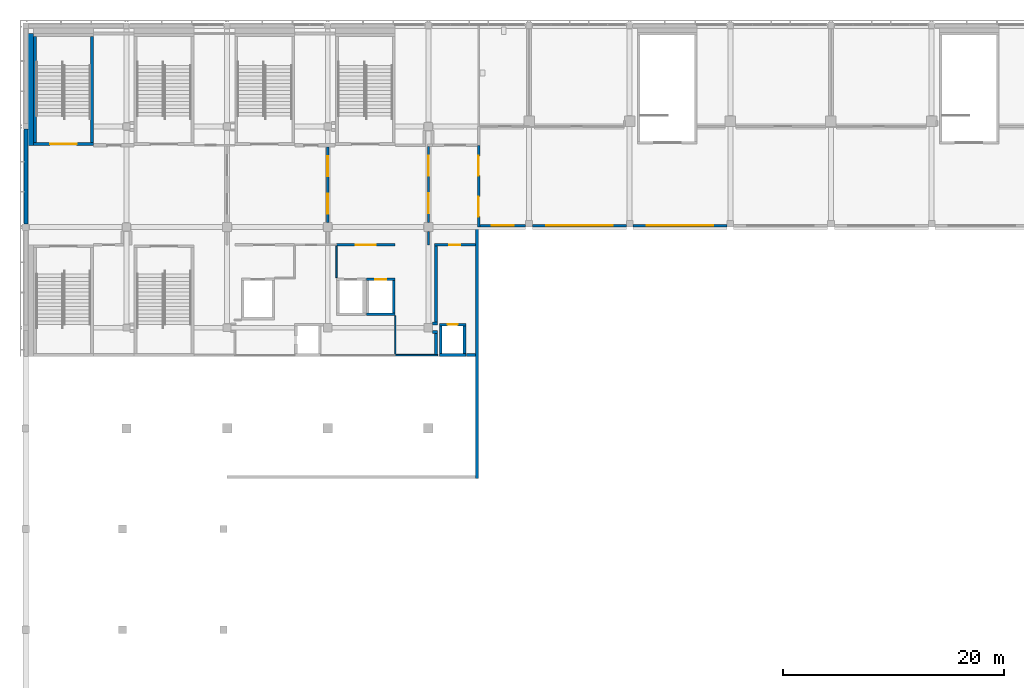
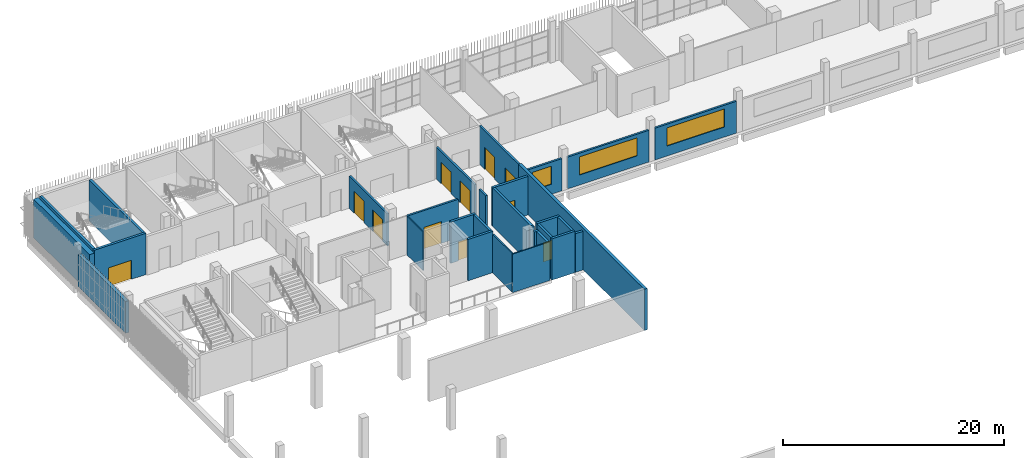
# One storey, part 61 of 104: 30 walls, 11 doors, 3 windows, 14 openings.
"""IFC4 building model written with IfcOpenShell, lengths in metres."""

from ifc_helpers import new_model, si_unit, direction, frame, frame_2d, origin, place, context, subcontext, project, spatial, rectangle, extrude, material, layer, layer_set, type_object, element, fill, save


model = new_model("IFC4")

# Units and contexts
model_context = context("Model", 3, precision=1e-05, world=origin(), true_north=direction((0.0, 1.0)))
body_context = subcontext(model_context, "Body", "Model", "MODEL_VIEW")
ifc_project = project(units=[si_unit("LENGTHUNIT", "METRE"), si_unit("AREAUNIT", "SQUARE_METRE"), si_unit("VOLUMEUNIT", "CUBIC_METRE"), si_unit("PLANEANGLEUNIT", "RADIAN"), si_unit("MASSUNIT", "GRAM", prefix="KILO")], contexts=[model_context])

# Site, building, storey
site_placement = place(None, origin())
site = spatial("IfcSite", under=ifc_project, at=site_placement, CompositionType="ELEMENT")
building_placement = place(site_placement, origin())
building = spatial("IfcBuilding", under=site, at=building_placement, Name="Shirokan Park Arena", CompositionType="ELEMENT")
storey_placement = place(building_placement, frame((0.0, 0.0, 10.919921875)))
storey = spatial("IfcBuildingStorey", under=building, at=storey_placement, Name="L02", CompositionType="ELEMENT", Elevation=10.919921875)

# Wall, opening, window
ifc_material_1 = material(Name="Cedar timber lining", Category="wood")
ifc_layer_1 = layer(ifc_material_1, 0.02001953125, Name="Cedar timber lining")
ifc_material_2 = material(Name="Plywood", Category="wood")
ifc_layer_2 = layer(ifc_material_2, 0.01806640625, Name="Plywood")
ifc_material_3 = material(Name="Mineral wool insulation")
ifc_layer_3 = layer(ifc_material_3, 0.14208984375, Name="Mineral wool insulation")
ifc_material_4 = material(Name="Gypsum board")
ifc_layer_4 = layer(ifc_material_4, 0.02001953125, Name="Gypsum board")
ifc_layer_set_1 = layer_set([ifc_layer_1, ifc_layer_2, ifc_layer_3, ifc_layer_4], Name="Cedar timber lining + Plywood + Mineral wool insulation + Gypsum board")
wall_type_1 = type_object("IfcWallType", Name="Bowl front wall 200", PredefinedType="PARTITIONING", material=ifc_layer_set_1)
wall_1_placement = place(storey_placement, frame((63.39990234375, 91.1298828125, 0.0), z_axis=(0.0, 0.0, 1.0), x_axis=(-1.0, 0.0, 0.0)))
wall_1 = element("IfcWall", 1, at=wall_1_placement, inside=storey, type_object=wall_type_1, Name="Bowl front wall 200 L02", PredefinedType="PARTITIONING", context=body_context, shape_type="SweptSolid", body=[
    extrude(rectangle(XDim=8.5, YDim=0.199951171875, at=frame_2d((4.25, 0.0))), origin(), (0.0, 0.0, 1.0), 3.5),
])
opening_1_placement = place(wall_1_placement, frame((1.25, 0.0, 1.10009765625)))
opening_1 = element("IfcOpeningElement", 2, at=opening_1_placement, cuts=wall_1, Name="Opening W6", PredefinedType="OPENING", context=body_context, shape_type="SweptSolid", body=[
    extrude(rectangle(XDim=6.0, YDim=2.0, at=frame_2d((3.0, 1.0))), frame((0.0, 0.10986328125, 0.0), z_axis=(0.0, -1.0, 0.0), x_axis=(1.0, 0.0, 0.0)), (0.0, 0.0, 1.0), 0.219970703125),
])
ifc_material_5 = material(Name="Aluminium frame with laminated glass", Category="aluminium")
window_type_1 = type_object("IfcWindowType", Name="Lounge viewing window 6000 x 2000", PartitioningType="SINGLE_PANEL", PredefinedType="WINDOW", material=ifc_material_5)
window_1_placement = place(opening_1_placement, origin())
window_1 = element("IfcWindow", 3, at=window_1_placement, inside=storey, type_object=window_type_1, Name="Lounge viewing window 6000 x 2000 L02", OverallHeight=2.0, OverallWidth=6.0, PartitioningType="SINGLE_PANEL", PredefinedType="WINDOW", context=body_context, shape_type="SweptSolid", body=[
    extrude(rectangle(XDim=6.0, YDim=2.0, at=frame_2d((3.0, 1.0))), frame((0.0, 0.030029296875, 0.0), z_axis=(0.0, -1.0, 0.0), x_axis=(1.0, 0.0, 0.0)), (0.0, 0.0, 1.0), 0.06005859375),
])
fill(opening_1, window_1)

wall_2_placement = place(storey_placement, frame((54.300048828125, 91.1298828125, 0.0), z_axis=(0.0, 0.0, 1.0), x_axis=(-1.0, 0.0, 0.0)))
wall_2 = element("IfcWall", 4, at=wall_2_placement, inside=storey, type_object=wall_type_1, Name="Bowl front wall 200 L02", PredefinedType="PARTITIONING", context=body_context, shape_type="SweptSolid", body=[
    extrude(rectangle(XDim=8.5, YDim=0.199951171875, at=frame_2d((4.25, 0.0))), origin(), (0.0, 0.0, 1.0), 3.5),
])
opening_2_placement = place(wall_2_placement, frame((1.25, 0.0, 1.10009765625)))
opening_2 = element("IfcOpeningElement", 5, at=opening_2_placement, cuts=wall_2, Name="Opening W6", PredefinedType="OPENING", context=body_context, shape_type="SweptSolid", body=[
    extrude(rectangle(XDim=6.0, YDim=2.0, at=frame_2d((3.0, 1.0))), frame((0.0, 0.10986328125, 0.0), z_axis=(0.0, -1.0, 0.0), x_axis=(1.0, 0.0, 0.0)), (0.0, 0.0, 1.0), 0.219970703125),
])
window_2_placement = place(opening_2_placement, origin())
window_2 = element("IfcWindow", 6, at=window_2_placement, inside=storey, type_object=window_type_1, Name="Lounge viewing window 6000 x 2000 L02", OverallHeight=2.0, OverallWidth=6.0, PartitioningType="SINGLE_PANEL", PredefinedType="WINDOW", context=body_context, shape_type="SweptSolid", body=[
    extrude(rectangle(XDim=6.0, YDim=2.0, at=frame_2d((3.0, 1.0))), frame((0.0, 0.030029296875, 0.0), z_axis=(0.0, -1.0, 0.0), x_axis=(1.0, 0.0, 0.0)), (0.0, 0.0, 1.0), 0.06005859375),
])
fill(opening_2, window_2)

wall_3_placement = place(storey_placement, frame((45.199951171875, 91.1298828125, 0.0), z_axis=(0.0, 0.0, 1.0), x_axis=(-1.0, 0.0, 0.0)))
wall_3 = element("IfcWall", 7, at=wall_3_placement, inside=storey, type_object=wall_type_1, Name="Bowl front wall 200 L02", PredefinedType="PARTITIONING", context=body_context, shape_type="SweptSolid", body=[
    extrude(rectangle(XDim=4.14990234375, YDim=0.199951171875, at=frame_2d((2.074951171875, 0.0))), origin(), (0.0, 0.0, 1.0), 3.550048828125),
])
opening_3_placement = place(wall_3_placement, frame((1.074951171875, 0.0, 1.10009765625)))
opening_3 = element("IfcOpeningElement", 8, at=opening_3_placement, cuts=wall_3, Name="Opening W5", PredefinedType="OPENING", context=body_context, shape_type="SweptSolid", body=[
    extrude(rectangle(XDim=2.0, YDim=2.0, at=frame_2d((1.0, 1.0))), frame((0.0, 0.10986328125, 0.0), z_axis=(0.0, -1.0, 0.0), x_axis=(1.0, 0.0, 0.0)), (0.0, 0.0, 1.0), 0.219970703125),
])
window_type_2 = type_object("IfcWindowType", Name="Lounge viewing window 2000 x 2000", PartitioningType="SINGLE_PANEL", PredefinedType="WINDOW", material=ifc_material_5)
window_3_placement = place(opening_3_placement, origin())
window_3 = element("IfcWindow", 9, at=window_3_placement, inside=storey, type_object=window_type_2, Name="Lounge viewing window 2000 x 2000 L02", OverallHeight=2.0, OverallWidth=2.0, PartitioningType="SINGLE_PANEL", PredefinedType="WINDOW", context=body_context, shape_type="SweptSolid", body=[
    extrude(rectangle(XDim=2.0, YDim=2.0, at=frame_2d((1.0, 1.0))), frame((0.0, 0.030029296875, 0.0), z_axis=(0.0, -1.0, 0.0), x_axis=(1.0, 0.0, 0.0)), (0.0, 0.0, 1.0), 0.06005859375),
])
fill(opening_3, window_3)

# Walls
ifc_material_6 = material(Name="Plaster")
ifc_layer_5 = layer(ifc_material_6, 0.014892578125, Name="Plaster")
ifc_material_7 = material(Name="Concrete blockwork", Category="masonry")
ifc_layer_6 = layer(ifc_material_7, 0.219970703125, Name="Concrete blockwork 220")
ifc_layer_7 = layer(ifc_material_6, 0.014892578125, Name="Plaster")
ifc_layer_set_2 = layer_set([ifc_layer_5, ifc_layer_6, ifc_layer_7], Name="Plaster + Concrete blockwork 220")
wall_type_2 = type_object("IfcWallType", Name="Compartment wall 250", PredefinedType="SOLIDWALL", material=ifc_layer_set_2)
wall_4_placement = place(storey_placement, frame((36.77490234375, 81.52490234375, 0.0), z_axis=(0.0, 0.0, 1.0), x_axis=(1.0, 0.0, 0.0)))
element("IfcWall", 10, at=wall_4_placement, inside=storey, type_object=wall_type_2, Name="Compartment wall 250 L02", PredefinedType="SOLIDWALL", context=body_context, shape_type="SweptSolid", body=[
    extrude(rectangle(XDim=0.4501953125, YDim=0.25, at=frame_2d((0.22509765625, 0.0))), origin(), (0.0, 0.0, 1.0), 4.25),
])
wall_5_placement = place(storey_placement, frame((37.10009765625, 81.39990234375, 0.0), z_axis=(0.0, 0.0, 1.0), x_axis=(0.0, -1.0, 0.0)))
element("IfcWall", 11, at=wall_5_placement, inside=storey, type_object=wall_type_2, Name="Compartment wall 250 L02", PredefinedType="SOLIDWALL", context=body_context, shape_type="SweptSolid", body=[
    extrude(rectangle(XDim=1.912353515625, YDim=0.25, at=frame_2d((0.9560546875, 0.0))), origin(), (0.0, 0.0, 1.0), 4.25),
])
wall_6_placement = place(storey_placement, frame((37.10009765625, 89.27490234375, 0.0), z_axis=(0.0, 0.0, 1.0), x_axis=(0.0, -1.0, 0.0)))
element("IfcWall", 12, at=wall_6_placement, inside=storey, type_object=wall_type_2, Name="Compartment wall 250 L02", PredefinedType="SOLIDWALL", context=body_context, shape_type="SweptSolid", body=[
    extrude(rectangle(XDim=6.875, YDim=0.25, at=frame_2d((3.4375, 0.0))), origin(), (0.0, 0.0, 1.0), 4.25),
])
wall_7_placement = place(storey_placement, frame((37.22509765625, 82.27490234375, 0.0), z_axis=(0.0, 0.0, 1.0), x_axis=(-1.0, 0.0, 0.0)))
element("IfcWall", 13, at=wall_7_placement, inside=storey, type_object=wall_type_2, Name="Compartment wall 250 L02", PredefinedType="SOLIDWALL", context=body_context, shape_type="SweptSolid", body=[
    extrude(rectangle(XDim=0.4501953125, YDim=0.25, at=frame_2d((0.22509765625, 0.0))), origin(), (0.0, 0.0, 1.0), 4.25),
])
wall_8_placement = place(storey_placement, frame((40.64990234375, 79.425048828125, 0.0), z_axis=(0.0, 0.0, 1.0), x_axis=(-1.0, 0.0, 0.0)))
element("IfcWall", 14, at=wall_8_placement, inside=storey, type_object=wall_type_2, Name="Compartment wall 250 L02", PredefinedType="SOLIDWALL", context=body_context, shape_type="SweptSolid", body=[
    extrude(rectangle(XDim=0.81982421875, YDim=0.25, at=frame_2d((0.409912109375, 0.0))), origin(), (0.0, 0.0, 1.0), 4.25),
])

# Wall, opening, door
wall_9_placement = place(storey_placement, frame((40.64990234375, 89.39990234375, 0.0), z_axis=(0.0, 0.0, 1.0), x_axis=(-1.0, 0.0, 0.0)))
wall_9 = element("IfcWall", 15, at=wall_9_placement, inside=storey, type_object=wall_type_2, Name="Compartment wall 250 L02", PredefinedType="SOLIDWALL", context=body_context, shape_type="SweptSolid", body=[
    extrude(rectangle(XDim=3.6748046875, YDim=0.25, at=frame_2d((1.83740234375, 0.0))), origin(), (0.0, 0.0, 1.0), 4.25),
])
opening_4_placement = place(wall_9_placement, frame((1.35009765625, 0.0, 0.0)))
opening_4 = element("IfcOpeningElement", 16, at=opening_4_placement, cuts=wall_9, Name="Opening D-2026", PredefinedType="OPENING", context=body_context, shape_type="SweptSolid", body=[
    extrude(rectangle(XDim=1.0, YDim=2.10009765625, at=frame_2d((0.5, 1.050048828125))), frame((0.0, 0.135009765625, 0.0), z_axis=(0.0, -1.0, 0.0), x_axis=(1.0, 0.0, 0.0)), (0.0, 0.0, 1.0), 0.27001953125),
])
ifc_material_8 = material(Name="Timber door set, fire resisting", Category="wood")
door_type_1 = type_object("IfcDoorType", Name="Door 1000 x 2100", OperationType="SINGLE_SWING_LEFT", PredefinedType="DOOR", material=ifc_material_8)
door_1_placement = place(opening_4_placement, origin())
door_1 = element("IfcDoor", 17, at=door_1_placement, inside=storey, type_object=door_type_1, Name="Door to Glass Wash Room 2.49 D-2026", OperationType="SINGLE_SWING_LEFT", OverallHeight=2.10009765625, OverallWidth=1.0, PredefinedType="DOOR", context=body_context, shape_type="SweptSolid", body=[
    extrude(rectangle(XDim=1.0, YDim=2.10009765625, at=frame_2d((0.5, 1.050048828125))), frame((0.0, 0.02490234375, 0.0), z_axis=(0.0, -1.0, 0.0), x_axis=(1.0, 0.0, 0.0)), (0.0, 0.0, 1.0), 0.050048828125),
])
fill(opening_4, door_1)

# Wall, openings, doors
ifc_layer_8 = layer(ifc_material_4, 0.02490234375, Name="Gypsum board, two layers")
ifc_layer_9 = layer(ifc_material_3, 0.14990234375, Name="Mineral wool insulation")
ifc_layer_10 = layer(ifc_material_4, 0.02490234375, Name="Gypsum board, two layers")
ifc_layer_set_3 = layer_set([ifc_layer_8, ifc_layer_9, ifc_layer_10], Name="Gypsum board, two layers + Mineral wool insulation")
wall_type_3 = type_object("IfcWallType", Name="Corridor wall 200", PredefinedType="PARTITIONING", material=ifc_layer_set_3)
wall_10_placement = place(storey_placement, frame((27.300048828125, 98.262451171875, 0.0), z_axis=(0.0, 0.0, 1.0), x_axis=(0.0, -1.0, 0.0)))
wall_10 = element("IfcWall", 18, at=wall_10_placement, inside=storey, type_object=wall_type_3, Name="Corridor wall 200 L02", PredefinedType="PARTITIONING", context=body_context, shape_type="SweptSolid", body=[
    extrude(rectangle(XDim=6.862548828125, YDim=0.199951171875, at=frame_2d((3.43115234375, 0.0))), origin(), (0.0, 0.0, 1.0), 3.550048828125),
])
opening_5_placement = place(wall_10_placement, frame((0.85009765625, 0.0, 0.0)))
opening_5 = element("IfcOpeningElement", 19, at=opening_5_placement, cuts=wall_10, Name="Opening D-2075", PredefinedType="OPENING", context=body_context, shape_type="SweptSolid", body=[
    extrude(rectangle(XDim=1.800048828125, YDim=2.39990234375, at=frame_2d((0.89990234375, 1.199951171875))), frame((0.0, 0.10986328125, 0.0), z_axis=(0.0, -1.0, 0.0), x_axis=(1.0, 0.0, 0.0)), (0.0, 0.0, 1.0), 0.219970703125),
])
opening_6_placement = place(wall_10_placement, frame((4.25, 0.0, 0.0)))
opening_6 = element("IfcOpeningElement", 20, at=opening_6_placement, cuts=wall_10, Name="Opening D-2076", PredefinedType="OPENING", context=body_context, shape_type="SweptSolid", body=[
    extrude(rectangle(XDim=1.800048828125, YDim=2.39990234375, at=frame_2d((0.89990234375, 1.199951171875))), frame((0.0, 0.10986328125, 0.0), z_axis=(0.0, -1.0, 0.0), x_axis=(1.0, 0.0, 0.0)), (0.0, 0.0, 1.0), 0.219970703125),
])
ifc_material_9 = material(Name="Glazed steel door set, fire resisting", Category="steel")
door_type_2 = type_object("IfcDoorType", Name="Lift lobby door 1800 x 2400", OperationType="DOUBLE_DOOR_SINGLE_SWING", PredefinedType="DOOR", material=ifc_material_9)
door_2_placement = place(opening_5_placement, origin())
door_2 = element("IfcDoor", 21, at=door_2_placement, inside=storey, type_object=door_type_2, Name="Door between Club Reception 4.2.2 and Stair Lobby 4.2.3 D-2075", OperationType="DOUBLE_DOOR_SINGLE_SWING", OverallHeight=2.39990234375, OverallWidth=1.800048828125, PredefinedType="DOOR", context=body_context, shape_type="SweptSolid", body=[
    extrude(rectangle(XDim=1.800048828125, YDim=2.39990234375, at=frame_2d((0.89990234375, 1.199951171875))), frame((0.0, 0.02490234375, 0.0), z_axis=(0.0, -1.0, 0.0), x_axis=(1.0, 0.0, 0.0)), (0.0, 0.0, 1.0), 0.050048828125),
])
fill(opening_5, door_2)
door_3_placement = place(opening_6_placement, origin())
door_3 = element("IfcDoor", 22, at=door_3_placement, inside=storey, type_object=door_type_2, Name="Door between Club Reception 4.2.2 and Stair Lobby 4.2.3 D-2076", OperationType="DOUBLE_DOOR_SINGLE_SWING", OverallHeight=2.39990234375, OverallWidth=1.800048828125, PredefinedType="DOOR", context=body_context, shape_type="SweptSolid", body=[
    extrude(rectangle(XDim=1.800048828125, YDim=2.39990234375, at=frame_2d((0.89990234375, 1.199951171875))), frame((0.0, 0.02490234375, 0.0), z_axis=(0.0, -1.0, 0.0), x_axis=(1.0, 0.0, 0.0)), (0.0, 0.0, 1.0), 0.050048828125),
])
fill(opening_6, door_3)

# Wall, opening, door
wall_11_placement = place(storey_placement, frame((33.39990234375, 89.39990234375, 0.0), z_axis=(0.0, 0.0, 1.0), x_axis=(-1.0, 0.0, 0.0)))
wall_11 = element("IfcWall", 23, at=wall_11_placement, inside=storey, type_object=wall_type_3, Name="Corridor wall 200 L02", PredefinedType="PARTITIONING", context=body_context, shape_type="SweptSolid", body=[
    extrude(rectangle(XDim=5.2998046875, YDim=0.199951171875, at=frame_2d((2.64990234375, 0.0))), origin(), (0.0, 0.0, 1.0), 4.25),
])
opening_7_placement = place(wall_11_placement, frame((1.75, 0.0, 0.0)))
opening_7 = element("IfcOpeningElement", 24, at=opening_7_placement, cuts=wall_11, Name="Opening D-2080", PredefinedType="OPENING", context=body_context, shape_type="SweptSolid", body=[
    extrude(rectangle(XDim=1.800048828125, YDim=2.39990234375, at=frame_2d((0.89990234375, 1.199951171875))), frame((0.0, 0.10986328125, 0.0), z_axis=(0.0, -1.0, 0.0), x_axis=(1.0, 0.0, 0.0)), (0.0, 0.0, 1.0), 0.219970703125),
])
door_4_placement = place(opening_7_placement, origin())
door_4 = element("IfcDoor", 25, at=door_4_placement, inside=storey, type_object=door_type_2, Name="Door between Stair Lobby 4.2.3 and Lift Lobby 4.2 D-2080", OperationType="DOUBLE_DOOR_SINGLE_SWING", OverallHeight=2.39990234375, OverallWidth=1.800048828125, PredefinedType="DOOR", context=body_context, shape_type="SweptSolid", body=[
    extrude(rectangle(XDim=1.800048828125, YDim=2.39990234375, at=frame_2d((0.89990234375, 1.199951171875))), frame((0.0, 0.02490234375, 0.0), z_axis=(0.0, -1.0, 0.0), x_axis=(1.0, 0.0, 0.0)), (0.0, 0.0, 1.0), 0.050048828125),
])
fill(opening_7, door_4)

# Wall
wall_12_placement = place(storey_placement, frame((36.39990234375, 90.60009765625, 0.0), z_axis=(0.0, 0.0, 1.0), x_axis=(0.0, -1.0, 0.0)))
element("IfcWall", 26, at=wall_12_placement, inside=storey, type_object=wall_type_3, Name="Corridor wall 200 L02", PredefinedType="PARTITIONING", context=body_context, shape_type="SweptSolid", body=[
    extrude(rectangle(XDim=1.2001953125, YDim=0.199951171875, at=frame_2d((0.60009765625, 0.0))), origin(), (0.0, 0.0, 1.0), 3.550048828125),
])

# Wall, openings, doors
wall_13_placement = place(storey_placement, frame((36.39990234375, 98.300048828125, 0.0), z_axis=(0.0, 0.0, 1.0), x_axis=(0.0, -1.0, 0.0)))
wall_13 = element("IfcWall", 27, at=wall_13_placement, inside=storey, type_object=wall_type_3, Name="Corridor wall 200 L02", PredefinedType="PARTITIONING", context=body_context, shape_type="SweptSolid", body=[
    extrude(rectangle(XDim=6.900146484375, YDim=0.199951171875, at=frame_2d((3.4501953125, 0.0))), origin(), (0.0, 0.0, 1.0), 3.550048828125),
])
opening_8_placement = place(wall_13_placement, frame((0.85009765625, 0.0, 0.0)))
opening_8 = element("IfcOpeningElement", 28, at=opening_8_placement, cuts=wall_13, Name="Opening D-2078", PredefinedType="OPENING", context=body_context, shape_type="SweptSolid", body=[
    extrude(rectangle(XDim=1.800048828125, YDim=2.39990234375, at=frame_2d((0.89990234375, 1.199951171875))), frame((0.0, 0.10986328125, 0.0), z_axis=(0.0, -1.0, 0.0), x_axis=(1.0, 0.0, 0.0)), (0.0, 0.0, 1.0), 0.219970703125),
])
opening_9_placement = place(wall_13_placement, frame((4.25, 0.0, 0.0)))
opening_9 = element("IfcOpeningElement", 29, at=opening_9_placement, cuts=wall_13, Name="Opening D-2079", PredefinedType="OPENING", context=body_context, shape_type="SweptSolid", body=[
    extrude(rectangle(XDim=1.800048828125, YDim=2.39990234375, at=frame_2d((0.89990234375, 1.199951171875))), frame((0.0, 0.10986328125, 0.0), z_axis=(0.0, -1.0, 0.0), x_axis=(1.0, 0.0, 0.0)), (0.0, 0.0, 1.0), 0.219970703125),
])
door_5_placement = place(opening_8_placement, origin())
door_5 = element("IfcDoor", 30, at=door_5_placement, inside=storey, type_object=door_type_2, Name="Door between Stair Lobby 4.2.3 and Lounge Lobby 4.2.4 D-2078", OperationType="DOUBLE_DOOR_SINGLE_SWING", OverallHeight=2.39990234375, OverallWidth=1.800048828125, PredefinedType="DOOR", context=body_context, shape_type="SweptSolid", body=[
    extrude(rectangle(XDim=1.800048828125, YDim=2.39990234375, at=frame_2d((0.89990234375, 1.199951171875))), frame((0.0, 0.02490234375, 0.0), z_axis=(0.0, -1.0, 0.0), x_axis=(1.0, 0.0, 0.0)), (0.0, 0.0, 1.0), 0.050048828125),
])
fill(opening_8, door_5)
door_6_placement = place(opening_9_placement, origin())
door_6 = element("IfcDoor", 31, at=door_6_placement, inside=storey, type_object=door_type_2, Name="Door between Stair Lobby 4.2.3 and Lounge Lobby 4.2.4 D-2079", OperationType="DOUBLE_DOOR_SINGLE_SWING", OverallHeight=2.39990234375, OverallWidth=1.800048828125, PredefinedType="DOOR", context=body_context, shape_type="SweptSolid", body=[
    extrude(rectangle(XDim=1.800048828125, YDim=2.39990234375, at=frame_2d((0.89990234375, 1.199951171875))), frame((0.0, 0.02490234375, 0.0), z_axis=(0.0, -1.0, 0.0), x_axis=(1.0, 0.0, 0.0)), (0.0, 0.0, 1.0), 0.050048828125),
])
fill(opening_9, door_6)

wall_14_placement = place(storey_placement, frame((40.949951171875, 98.39990234375, 0.0), z_axis=(0.0, 0.0, 1.0), x_axis=(0.0, -1.0, 0.0)))
wall_14 = element("IfcWall", 32, at=wall_14_placement, inside=storey, type_object=wall_type_3, Name="Corridor wall 200 L02", PredefinedType="PARTITIONING", context=body_context, shape_type="SweptSolid", body=[
    extrude(rectangle(XDim=7.369873046875, YDim=0.199951171875, at=frame_2d((3.68505859375, 0.0))), origin(), (0.0, 0.0, 1.0), 4.25),
])
opening_10_placement = place(wall_14_placement, frame((0.949951171875, 0.0, 0.0)))
opening_10 = element("IfcOpeningElement", 33, at=opening_10_placement, cuts=wall_14, Name="Opening D-2081", PredefinedType="OPENING", context=body_context, shape_type="SweptSolid", body=[
    extrude(rectangle(XDim=1.800048828125, YDim=2.39990234375, at=frame_2d((0.89990234375, 1.199951171875))), frame((0.0, 0.10986328125, 0.0), z_axis=(0.0, -1.0, 0.0), x_axis=(1.0, 0.0, 0.0)), (0.0, 0.0, 1.0), 0.219970703125),
])
opening_11_placement = place(wall_14_placement, frame((4.64990234375, 0.0, 0.0)))
opening_11 = element("IfcOpeningElement", 34, at=opening_11_placement, cuts=wall_14, Name="Opening D-2082", PredefinedType="OPENING", context=body_context, shape_type="SweptSolid", body=[
    extrude(rectangle(XDim=1.800048828125, YDim=2.39990234375, at=frame_2d((0.89990234375, 1.199951171875))), frame((0.0, 0.10986328125, 0.0), z_axis=(0.0, -1.0, 0.0), x_axis=(1.0, 0.0, 0.0)), (0.0, 0.0, 1.0), 0.219970703125),
])
door_7_placement = place(opening_10_placement, origin())
door_7 = element("IfcDoor", 35, at=door_7_placement, inside=storey, type_object=door_type_2, Name="Door between Lounge Lobby 4.2.4 and Club Lounge 2.03 D-2081", OperationType="DOUBLE_DOOR_SINGLE_SWING", OverallHeight=2.39990234375, OverallWidth=1.800048828125, PredefinedType="DOOR", context=body_context, shape_type="SweptSolid", body=[
    extrude(rectangle(XDim=1.800048828125, YDim=2.39990234375, at=frame_2d((0.89990234375, 1.199951171875))), frame((0.0, 0.02490234375, 0.0), z_axis=(0.0, -1.0, 0.0), x_axis=(1.0, 0.0, 0.0)), (0.0, 0.0, 1.0), 0.050048828125),
])
fill(opening_10, door_7)
door_8_placement = place(opening_11_placement, origin())
door_8 = element("IfcDoor", 36, at=door_8_placement, inside=storey, type_object=door_type_2, Name="Door between Lounge Lobby 4.2.4 and Club Lounge 2.03 D-2082", OperationType="DOUBLE_DOOR_SINGLE_SWING", OverallHeight=2.39990234375, OverallWidth=1.800048828125, PredefinedType="DOOR", context=body_context, shape_type="SweptSolid", body=[
    extrude(rectangle(XDim=1.800048828125, YDim=2.39990234375, at=frame_2d((0.89990234375, 1.199951171875))), frame((0.0, 0.02490234375, 0.0), z_axis=(0.0, -1.0, 0.0), x_axis=(1.0, 0.0, 0.0)), (0.0, 0.0, 1.0), 0.050048828125),
])
fill(opening_11, door_8)

# Walls
ifc_material_10 = material(Name="Cedar cladding")
ifc_layer_11 = layer(ifc_material_10, 0.030029296875, Name="Cedar cladding")
ifc_layer_12 = layer(ifc_material_3, 0.10009765625, Name="Mineral wool insulation")
ifc_material_11 = material(Name="Concrete C35", Category="concrete")
ifc_layer_13 = layer(ifc_material_11, 0.199951171875, Name="Concrete C35")
ifc_material_12 = material(Name="Gypsum board lining")
ifc_layer_14 = layer(ifc_material_12, 0.02001953125, Name="Gypsum board lining")
ifc_layer_set_4 = layer_set([ifc_layer_11, ifc_layer_12, ifc_layer_13, ifc_layer_14], Name="Cedar cladding + Mineral wool insulation + Concrete C35 + Gypsum board lining")
wall_type_4 = type_object("IfcWallType", Name="Insulated tower wall 350", PredefinedType="SOLIDWALL", material=ifc_layer_set_4)
wall_15_placement = place(storey_placement, frame((0.02490234375, 99.85009765625, 0.0), z_axis=(0.0, 0.0, 1.0), x_axis=(0.0, -1.0, 0.0)))
element("IfcWall", 37, at=wall_15_placement, inside=storey, type_object=wall_type_4, Name="West facade wall bay 2 L02", PredefinedType="SOLIDWALL", context=body_context, shape_type="SweptSolid", body=[
    extrude(rectangle(XDim=8.550048828125, YDim=0.35009765625, at=frame_2d((4.27490234375, 0.0))), origin(), (0.0, 0.0, 1.0), 3.5),
])
ifc_layer_15 = layer(ifc_material_11, 0.300048828125)
ifc_layer_set_5 = layer_set([ifc_layer_15], Name="Concrete C35 300 mm")
wall_type_5 = type_object("IfcWallType", Name="RC flank wall 300", PredefinedType="SHEAR", material=ifc_layer_set_5)
wall_16_placement = place(storey_placement, frame((40.800048828125, 68.25, 0.0), z_axis=(0.0, 0.0, 1.0), x_axis=(0.0, 1.0, 0.0)))
element("IfcWall", 38, at=wall_16_placement, inside=storey, type_object=wall_type_5, Name="Flank wall N1 L02", PredefinedType="SHEAR", context=body_context, shape_type="SweptSolid", body=[
    extrude(rectangle(XDim=22.75, YDim=0.300048828125, at=frame_2d((11.375, 0.0))), origin(), (0.0, 0.0, 1.0), 4.550048828125),
])
ifc_material_13 = material(Name="Concrete C40/50", Category="concrete")
ifc_layer_16 = layer(ifc_material_13, 0.25)
ifc_layer_set_6 = layer_set([ifc_layer_16], Name="Concrete C40/50 250 mm")
wall_type_6 = type_object("IfcWallType", Name="RC shear wall 250", PredefinedType="SHEAR", material=ifc_layer_set_6)
wall_17_placement = place(storey_placement, frame((33.39990234375, 83.125, 0.0), z_axis=(0.0, 0.0, 1.0), x_axis=(-1.0, 0.0, 0.0)))
element("IfcWall", 39, at=wall_17_placement, inside=storey, type_object=wall_type_6, Name="Shaft wall Passenger Lift 4.2 S L02", PredefinedType="SHEAR", context=body_context, shape_type="SweptSolid", body=[
    extrude(rectangle(XDim=2.599853515625, YDim=0.25, at=frame_2d((1.2998046875, 0.0))), origin(), (0.0, 0.0, 1.0), 4.550048828125),
])

# Wall, opening, door
wall_18_placement = place(storey_placement, frame((33.39990234375, 86.27490234375, 0.0), z_axis=(0.0, 0.0, 1.0), x_axis=(-1.0, 0.0, 0.0)))
wall_18 = element("IfcWall", 40, at=wall_18_placement, inside=storey, type_object=wall_type_6, Name="Shaft wall Passenger Lift 4.2 N L02", PredefinedType="SHEAR", context=body_context, shape_type="SweptSolid", body=[
    extrude(rectangle(XDim=2.599853515625, YDim=0.25, at=frame_2d((1.2998046875, 0.0))), origin(), (0.0, 0.0, 1.0), 4.550048828125),
])
opening_12_placement = place(wall_18_placement, frame((0.800048828125, 0.0, 0.0)))
opening_12 = element("IfcOpeningElement", 41, at=opening_12_placement, cuts=wall_18, Name="Opening LD45", PredefinedType="OPENING", context=body_context, shape_type="SweptSolid", body=[
    extrude(rectangle(XDim=1.0, YDim=2.10009765625, at=frame_2d((0.5, 1.050048828125))), frame((0.0, 0.135009765625, 0.0), z_axis=(0.0, -1.0, 0.0), x_axis=(1.0, 0.0, 0.0)), (0.0, 0.0, 1.0), 0.27001953125),
])
ifc_material_14 = material(Name="Stainless steel", Category="steel")
door_type_3 = type_object("IfcDoorType", Name="Lift landing door 1000x2100", OperationType="DOUBLE_DOOR_SLIDING", PredefinedType="DOOR", material=ifc_material_14)
door_9_placement = place(opening_12_placement, origin())
door_9 = element("IfcDoor", 42, at=door_9_placement, inside=storey, type_object=door_type_3, Name="Lift landing door Passenger Lift 4.2 L02", OperationType="DOUBLE_DOOR_SLIDING", OverallHeight=2.10009765625, OverallWidth=1.0, PredefinedType="DOOR", context=body_context, shape_type="SweptSolid", body=[
    extrude(rectangle(XDim=1.0, YDim=2.10009765625, at=frame_2d((0.5, 1.050048828125))), frame((0.0, 0.02490234375, 0.0), z_axis=(0.0, -1.0, 0.0), x_axis=(1.0, 0.0, 0.0)), (0.0, 0.0, 1.0), 0.050048828125),
])
fill(opening_12, door_9)

# Walls
wall_19_placement = place(storey_placement, frame((33.27490234375, 86.14990234375, 0.0), z_axis=(0.0, 0.0, 1.0), x_axis=(0.0, -1.0, 0.0)))
element("IfcWall", 43, at=wall_19_placement, inside=storey, type_object=wall_type_6, Name="Shaft wall Passenger Lift 4.2 E L02", PredefinedType="SHEAR", context=body_context, shape_type="SweptSolid", body=[
    extrude(rectangle(XDim=2.89990234375, YDim=0.25, at=frame_2d((1.449951171875, 0.0))), origin(), (0.0, 0.0, 1.0), 4.550048828125),
])
wall_20_placement = place(storey_placement, frame((39.800048828125, 79.425048828125, 0.0), z_axis=(0.0, 0.0, 1.0), x_axis=(-1.0, 0.0, 0.0)))
element("IfcWall", 44, at=wall_20_placement, inside=storey, type_object=wall_type_6, Name="Shaft wall Services Riser 4.1 S L02", PredefinedType="SHEAR", context=body_context, shape_type="SweptSolid", body=[
    extrude(rectangle(XDim=2.400146484375, YDim=0.25, at=frame_2d((1.2001953125, 0.0))), origin(), (0.0, 0.0, 1.0), 4.550048828125),
])

# Wall, opening, door
wall_21_placement = place(storey_placement, frame((39.800048828125, 82.175048828125, 0.0), z_axis=(0.0, 0.0, 1.0), x_axis=(-1.0, 0.0, 0.0)))
wall_21 = element("IfcWall", 45, at=wall_21_placement, inside=storey, type_object=wall_type_6, Name="Shaft wall Services Riser 4.1 N L02", PredefinedType="SHEAR", context=body_context, shape_type="SweptSolid", body=[
    extrude(rectangle(XDim=2.400146484375, YDim=0.25, at=frame_2d((1.2001953125, 0.0))), origin(), (0.0, 0.0, 1.0), 4.550048828125),
])
opening_13_placement = place(wall_21_placement, frame((0.75, 0.0, 0.0)))
opening_13 = element("IfcOpeningElement", 46, at=opening_13_placement, cuts=wall_21, Name="Opening D-2089", PredefinedType="OPENING", context=body_context, shape_type="SweptSolid", body=[
    extrude(rectangle(XDim=0.89990234375, YDim=2.10009765625, at=frame_2d((0.449951171875, 1.050048828125))), frame((0.0, 0.135009765625, 0.0), z_axis=(0.0, -1.0, 0.0), x_axis=(1.0, 0.0, 0.0)), (0.0, 0.0, 1.0), 0.27001953125),
])
ifc_material_15 = material(Name="Steel door set, fire resisting", Category="steel")
door_type_4 = type_object("IfcDoorType", Name="Electrical riser door 900 x 2100", OperationType="SINGLE_SWING_LEFT", PredefinedType="DOOR", material=ifc_material_15)
door_10_placement = place(opening_13_placement, origin())
door_10 = element("IfcDoor", 47, at=door_10_placement, inside=storey, type_object=door_type_4, Name="Riser access door Services Riser 4.1 D-2089", OperationType="SINGLE_SWING_LEFT", OverallHeight=2.10009765625, OverallWidth=0.89990234375, PredefinedType="DOOR", context=body_context, shape_type="SweptSolid", body=[
    extrude(rectangle(XDim=0.89990234375, YDim=2.10009765625, at=frame_2d((0.449951171875, 1.050048828125))), frame((0.0, 0.02490234375, 0.0), z_axis=(0.0, -1.0, 0.0), x_axis=(1.0, 0.0, 0.0)), (0.0, 0.0, 1.0), 0.050048828125),
])
fill(opening_13, door_10)

# Walls
for number, where, z_axis, x_axis, name in (
    (48, (37.52490234375, 82.050048828125, 0.0), (0.0, 0.0, 1.0), (0.0, -1.0, 0.0), "Shaft wall Services Riser 4.1 W L02"),
    (49, (39.675048828125, 82.050048828125, 0.0), (0.0, 0.0, 1.0), (0.0, -1.0, 0.0), "Shaft wall Services Riser 4.1 E L02"),
):
    element("IfcWall", number, at=place(storey_placement, frame(where, z_axis=z_axis, x_axis=x_axis)), inside=storey, type_object=wall_type_6, Name=name, PredefinedType="SHEAR", context=body_context, shape_type="SweptSolid", body=[
        extrude(rectangle(XDim=2.5, YDim=0.25, at=frame_2d((1.25, 0.0))), origin(), (0.0, 0.0, 1.0), 4.550048828125),
    ])

# Wall, opening, door
wall_22_placement = place(storey_placement, frame((6.10009765625, 98.52490234375, 0.0), z_axis=(0.0, 0.0, 1.0), x_axis=(-1.0, 0.0, 0.0)))
wall_22 = element("IfcWall", 50, at=wall_22_placement, inside=storey, type_object=wall_type_6, Name="Shaft wall Exit Stair 4.A S L02", PredefinedType="SHEAR", context=body_context, shape_type="SweptSolid", body=[
    extrude(rectangle(XDim=5.400146484375, YDim=0.25, at=frame_2d((2.7001953125, 0.0))), origin(), (0.0, 0.0, 1.0), 4.550048828125),
])
opening_14_placement = place(wall_22_placement, frame((1.5, 0.0, 0.0)))
opening_14 = element("IfcOpeningElement", 51, at=opening_14_placement, cuts=wall_22, Name="Opening D-2100", PredefinedType="OPENING", context=body_context, shape_type="SweptSolid", body=[
    extrude(rectangle(XDim=2.39990234375, YDim=2.10009765625, at=frame_2d((1.199951171875, 1.050048828125))), frame((0.0, 0.135009765625, 0.0), z_axis=(0.0, -1.0, 0.0), x_axis=(1.0, 0.0, 0.0)), (0.0, 0.0, 1.0), 0.27001953125),
])
door_type_5 = type_object("IfcDoorType", Name="Stair door 2400 x 2100", OperationType="DOUBLE_DOOR_SINGLE_SWING", PredefinedType="DOOR", material=ifc_material_15)
door_11_placement = place(opening_14_placement, origin())
door_11 = element("IfcDoor", 52, at=door_11_placement, inside=storey, type_object=door_type_5, Name="Stair door Exit Stair 4.A D-2100", OperationType="DOUBLE_DOOR_SINGLE_SWING", OverallHeight=2.10009765625, OverallWidth=2.39990234375, PredefinedType="DOOR", context=body_context, shape_type="SweptSolid", body=[
    extrude(rectangle(XDim=2.39990234375, YDim=2.10009765625, at=frame_2d((1.199951171875, 1.050048828125))), frame((0.0, 0.02490234375, 0.0), z_axis=(0.0, -1.0, 0.0), x_axis=(1.0, 0.0, 0.0)), (0.0, 0.0, 1.0), 0.050048828125),
])
fill(opening_14, door_11)

# Walls
for number, where, z_axis, x_axis, name in (
    (53, (0.824951171875, 108.25, 0.0), (0.0, 0.0, 1.0), (0.0, -1.0, 0.0), "Shaft wall Exit Stair 4.A W L02"),
    (54, (5.97509765625, 108.25, 0.0), (0.0, 0.0, 1.0), (0.0, -1.0, 0.0), "Shaft wall Exit Stair 4.A E L02"),
):
    element("IfcWall", number, at=place(storey_placement, frame(where, z_axis=z_axis, x_axis=x_axis)), inside=storey, type_object=wall_type_6, Name=name, PredefinedType="SHEAR", context=body_context, shape_type="SweptSolid", body=[
        extrude(rectangle(XDim=9.60009765625, YDim=0.25, at=frame_2d((4.800048828125, 0.0))), origin(), (0.0, 0.0, 1.0), 4.550048828125),
    ])
ifc_layer_17 = layer(ifc_material_11, 0.5)
ifc_layer_set_7 = layer_set([ifc_layer_17], Name="Concrete C35 500 mm")
wall_type_7 = type_object("IfcWallType", Name="Shaft infill wall 500", PredefinedType="SOLIDWALL", material=ifc_layer_set_7)
wall_23_placement = place(storey_placement, frame((0.449951171875, 98.39990234375, 0.0), z_axis=(0.0, 0.0, 1.0), x_axis=(0.0, 1.0, 0.0)))
element("IfcWall", 55, at=wall_23_placement, inside=storey, type_object=wall_type_7, Name="Shaft infill wall L02", PredefinedType="SOLIDWALL", context=body_context, shape_type="SweptSolid", body=[
    extrude(rectangle(XDim=10.10009765625, YDim=0.5, at=frame_2d((5.050048828125, 0.0))), origin(), (0.0, 0.0, 1.0), 4.25),
])
ifc_material_16 = material(Name="Ceramic tile")
ifc_layer_18 = layer(ifc_material_16, 0.010009765625, Name="Ceramic tile")
ifc_material_17 = material(Name="Cement board")
ifc_layer_19 = layer(ifc_material_17, 0.012451171875, Name="Cement board")
ifc_layer_20 = layer(ifc_material_3, 0.080078125, Name="Mineral wool insulation")
ifc_layer_21 = layer(ifc_material_17, 0.012451171875, Name="Cement board")
ifc_layer_22 = layer(ifc_material_16, 0.010009765625, Name="Ceramic tile")
ifc_layer_set_8 = layer_set([ifc_layer_18, ifc_layer_19, ifc_layer_20, ifc_layer_21, ifc_layer_22], Name="Ceramic tile + Cement board + Mineral wool insulation")
wall_type_8 = type_object("IfcWallType", Name="Wet-area wall 125", PredefinedType="PARTITIONING", material=ifc_layer_set_8)
wall_24_placement = place(storey_placement, frame((28.10009765625, 89.300048828125, 0.0), z_axis=(0.0, 0.0, 1.0), x_axis=(0.0, -1.0, 0.0)))
element("IfcWall", 56, at=wall_24_placement, inside=storey, type_object=wall_type_8, Name="Wet-area wall 125 L02", PredefinedType="PARTITIONING", context=body_context, shape_type="SweptSolid", body=[
    extrude(rectangle(XDim=2.8701171875, YDim=0.125, at=frame_2d((1.43505859375, 0.0))), origin(), (0.0, 0.0, 1.0), 4.25),
])
wall_25_placement = place(storey_placement, frame((33.33740234375, 79.425048828125, 0.0), z_axis=(0.0, 0.0, 1.0), x_axis=(1.0, 0.0, 0.0)))
element("IfcWall", 57, at=wall_25_placement, inside=storey, type_object=wall_type_8, Name="Wet-area wall 125 L02", PredefinedType="PARTITIONING", context=body_context, shape_type="SweptSolid", body=[
    extrude(rectangle(XDim=3.8876953125, YDim=0.125, at=frame_2d((1.94384765625, 0.0))), origin(), (0.0, 0.0, 1.0), 4.25),
])
wall_26_placement = place(storey_placement, frame((33.39990234375, 82.969970703125, 0.0), z_axis=(0.0, 0.0, 1.0), x_axis=(0.0, -1.0, 0.0)))
element("IfcWall", 58, at=wall_26_placement, inside=storey, type_object=wall_type_8, Name="Wet-area wall 125 L02", PredefinedType="PARTITIONING", context=body_context, shape_type="SweptSolid", body=[
    extrude(rectangle(XDim=3.482421875, YDim=0.125, at=frame_2d((1.7412109375, 0.0))), origin(), (0.0, 0.0, 1.0), 4.25),
])

save(model, "model.ifc")
